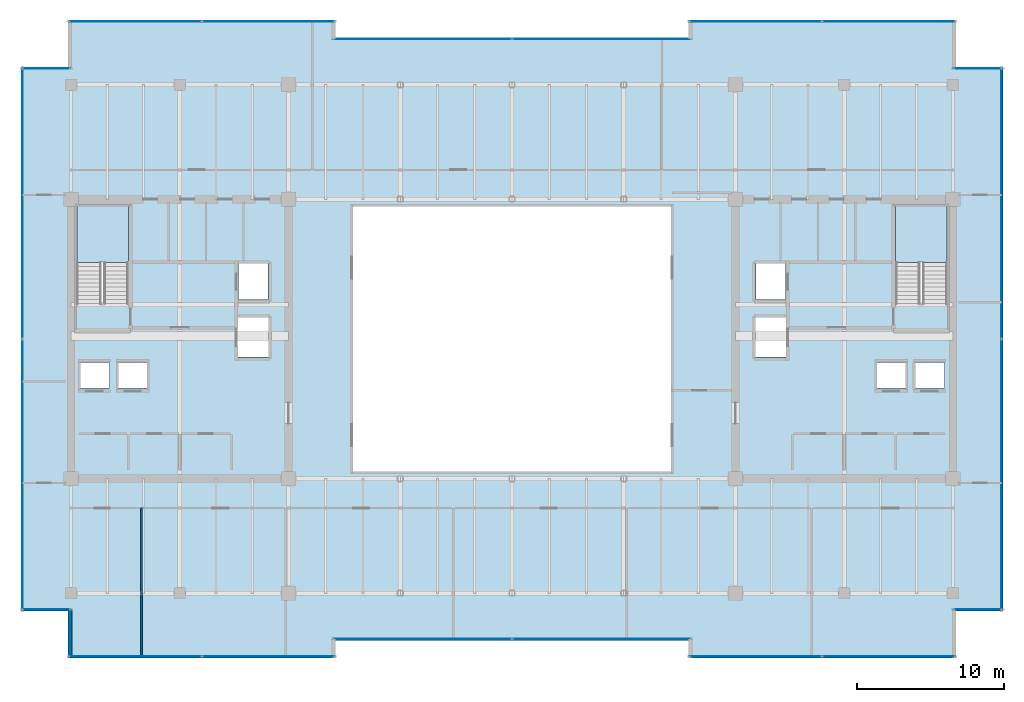
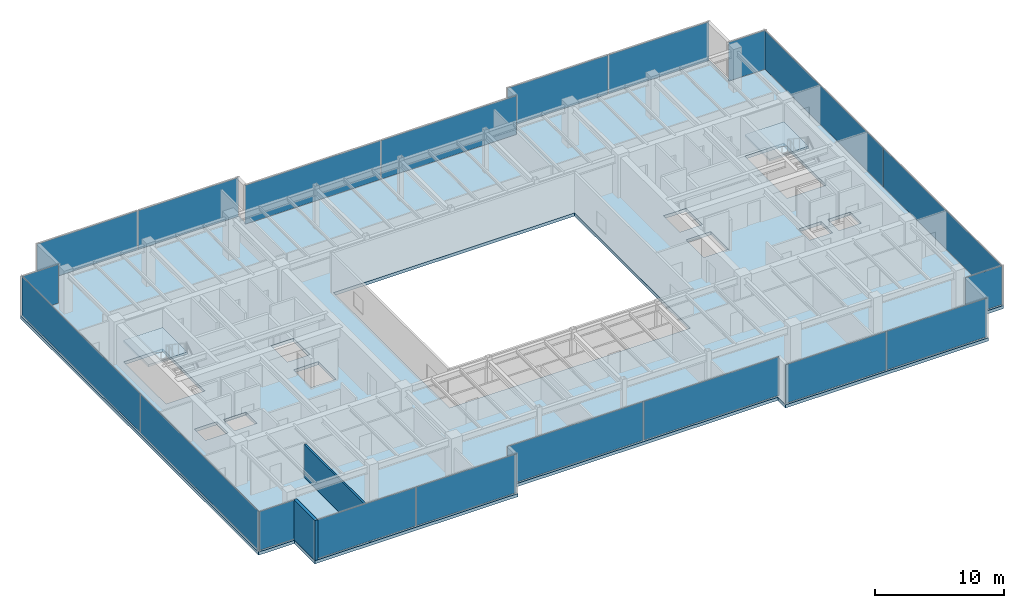
# One storey, part 27 of 33: 20 plates, 3 slabs, 2 walls, 14 elements without a shape of their own.
"""IFC4 building model written with IfcOpenShell, lengths in metres."""

from ifc_helpers import new_model, si_unit, direction, frame, frame_2d, origin, origin_2d, place, context, subcontext, project, spatial, polyline, rectangle, outline, extrude, source, transform, mapped, material, layer, layer_set, type_object, type_shapes, element, aggregate, save


model = new_model("IFC4")

# Units and contexts
model_context = context("Model", 3, precision=1e-05, world=origin(), true_north=direction((0.0, 1.0)))
body_context = subcontext(model_context, "Body", "Model", "MODEL_VIEW")
ifc_project = project(units=[si_unit("LENGTHUNIT", "METRE"), si_unit("AREAUNIT", "SQUARE_METRE"), si_unit("VOLUMEUNIT", "CUBIC_METRE"), si_unit("PLANEANGLEUNIT", "RADIAN"), si_unit("MASSUNIT", "GRAM", prefix="KILO")], contexts=[model_context])

# Site, building, storey
site_placement = place(None, origin())
site = spatial("IfcSite", under=ifc_project, at=site_placement, CompositionType="ELEMENT")
building_placement = place(site_placement, origin())
building = spatial("IfcBuilding", under=site, at=building_placement, Name="Haelvirn Gate Laboratories", CompositionType="ELEMENT")
storey_placement = place(building_placement, frame((0.0, 0.0, 209.60009765625)))
storey = spatial("IfcBuildingStorey", under=building, at=storey_placement, Name="L50", CompositionType="ELEMENT", Elevation=209.60009765625)

# Stair, slab
ifc_material_1 = material(Name="Concrete C40/50", Category="concrete")
stair_type = type_object("IfcStairType", Name="ST-DOG-1650-R22", PredefinedType="HALF_TURN_STAIR", material=ifc_material_1)
stair_1_placement = place(storey_placement, origin())
stair_1 = element("IfcStair", 1, at=stair_1_placement, inside=storey, type_object=stair_type, Name="L50 Escape Stair ST1", PredefinedType="HALF_TURN_STAIR")
ifc_layer_1 = layer(ifc_material_1, 0.199951171875, Name="SL-STAIR-LND")
ifc_layer_set_1 = layer_set([ifc_layer_1], Name="Concrete C40/50")
slab_type_1 = type_object("IfcSlabType", Name="SL-STAIR-LND", PredefinedType="LANDING", material=ifc_layer_set_1)
slab_1_placement = place(storey_placement, frame((0.0, 0.0, 1.849853515625)))
slab_1 = element("IfcSlab", 2, at=slab_1_placement, type_object=slab_type_1, Name="ST1 landing 1", PredefinedType="LANDING", context=body_context, shape_type="SweptSolid", body=[
    extrude(outline(polyline([(11.300048828125, 29.5), (11.300048828125, 33.35009765625), (7.800048828125, 33.35009765625), (7.800048828125, 29.5), (11.300048828125, 29.5)])), origin(), (0.0, 0.0, 1.0), 0.199951171875),
])
aggregate(stair_1, [slab_1])

stair_2_placement = place(storey_placement, origin())
stair_2 = element("IfcStair", 3, at=stair_2_placement, inside=storey, type_object=stair_type, Name="L50 Escape Stair ST2", PredefinedType="HALF_TURN_STAIR")
slab_2_placement = place(storey_placement, frame((0.0, 0.0, 1.849853515625)))
slab_2 = element("IfcSlab", 4, at=slab_2_placement, type_object=slab_type_1, Name="ST2 landing 1", PredefinedType="LANDING", context=body_context, shape_type="SweptSolid", body=[
    extrude(outline(polyline([(67.0, 29.5), (67.0, 33.35009765625), (63.5, 33.35009765625), (63.5, 29.5), (67.0, 29.5)])), origin(), (0.0, 0.0, 1.0), 0.199951171875),
])
aggregate(stair_2, [slab_2])

# Slab
ifc_layer_2 = layer(ifc_material_1, 0.300048828125, Name="SL-Z3-300")
ifc_layer_set_2 = layer_set([ifc_layer_2], Name="Concrete C40/50")
slab_type_2 = type_object("IfcSlabType", Name="SL-Z3-300", PredefinedType="FLOOR", material=ifc_layer_set_2)
slab_3_placement = place(storey_placement, frame((0.0, 0.0, -0.300048828125)))
element("IfcSlab", 5, at=slab_3_placement, inside=storey, type_object=slab_type_2, Name="L50 Structural Slab MAIN", PredefinedType="FLOOR", context=body_context, shape_type="SweptSolid", body=[
    extrude(outline(polyline([(7.199951171875, 2.60009765625), (25.39990234375, 2.60009765625), (25.39990234375, 3.800048828125), (49.39990234375, 3.800048828125), (49.39990234375, 2.60009765625), (67.60009765625, 2.60009765625), (67.60009765625, 5.800048828125), (70.800048828125, 5.800048828125), (70.800048828125, 42.800048828125), (67.60009765625, 42.800048828125), (67.60009765625, 46.0), (49.39990234375, 46.0), (49.39990234375, 44.800048828125), (25.39990234375, 44.800048828125), (25.39990234375, 46.0), (7.199951171875, 46.0), (7.199951171875, 42.800048828125), (4.0, 42.800048828125), (4.0, 5.800048828125), (7.199951171875, 5.800048828125), (7.199951171875, 2.60009765625)]), holes=[polyline([(26.60009765625, 15.300048828125), (48.199951171875, 15.300048828125), (48.199951171875, 33.300048828125), (26.60009765625, 33.300048828125), (26.60009765625, 15.300048828125)]), polyline([(11.300048828125, 26.780029296875), (11.300048828125, 33.35009765625), (7.800048828125, 33.35009765625), (7.800048828125, 26.780029296875), (11.300048828125, 26.780029296875)]), polyline([(67.0, 26.780029296875), (67.0, 33.35009765625), (63.5, 33.35009765625), (63.5, 26.780029296875), (67.0, 26.780029296875)]), polyline([(7.989990234375, 20.969970703125), (10.010009765625, 20.969970703125), (10.010009765625, 22.7099609375), (7.989990234375, 22.7099609375), (7.989990234375, 20.969970703125)]), polyline([(10.590087890625, 20.969970703125), (12.610107421875, 20.969970703125), (12.610107421875, 22.7099609375), (10.590087890625, 22.7099609375), (10.590087890625, 20.969970703125)]), polyline([(18.7900390625, 26.969970703125), (20.81005859375, 26.969970703125), (20.81005859375, 29.510009765625), (18.7900390625, 29.510009765625), (18.7900390625, 26.969970703125)]), polyline([(18.68994140625, 23.070068359375), (20.909912109375, 23.070068359375), (20.909912109375, 25.81005859375), (18.68994140625, 25.81005859375), (18.68994140625, 23.070068359375)]), polyline([(64.7900390625, 20.969970703125), (66.81005859375, 20.969970703125), (66.81005859375, 22.7099609375), (64.7900390625, 22.7099609375), (64.7900390625, 20.969970703125)]), polyline([(62.18994140625, 20.969970703125), (64.2099609375, 20.969970703125), (64.2099609375, 22.7099609375), (62.18994140625, 22.7099609375), (62.18994140625, 20.969970703125)]), polyline([(53.989990234375, 26.969970703125), (56.010009765625, 26.969970703125), (56.010009765625, 29.510009765625), (53.989990234375, 29.510009765625), (53.989990234375, 26.969970703125)]), polyline([(53.889892578125, 23.070068359375), (56.110107421875, 23.070068359375), (56.110107421875, 25.81005859375), (53.889892578125, 25.81005859375), (53.889892578125, 23.070068359375)])]), origin(), (0.0, 0.0, 1.0), 0.300048828125),
])

# Curtain wall, plates
ifc_material_2 = material(Name="Anodised bronze unitised aluminium & triple low-E glass", Category="aluminium")
ifc_layer_3 = layer(ifc_material_2, 0.176025390625, Name="CW-SYS-4")
ifc_layer_set_3 = layer_set([ifc_layer_3], Name="Anodised bronze unitised aluminium & triple low-E glass")
curtain_wall_type_1 = type_object("IfcCurtainWallType", Name="CW-SYS-4", PredefinedType="NOTDEFINED", material=ifc_layer_set_3)
curtain_wall_1_placement = place(storey_placement, origin())
curtain_wall_1 = element("IfcCurtainWall", 6, at=curtain_wall_1_placement, inside=storey, type_object=curtain_wall_type_1, Name="L50 Unitised Curtain Wall CW-L50-P0-E00-1", PredefinedType="NOTDEFINED")
ifc_material_3 = material(Name="Acoustic laminated bronze triple IGU 36 mm", Category="glass")
ifc_layer_4 = layer(ifc_material_3, 0.035888671875, Name="CWP-IGU-36")
ifc_layer_set_4 = layer_set([ifc_layer_4], Name="Acoustic laminated bronze triple IGU 36 mm")
plate_type_1 = type_object("IfcPlateType", Name="CWP-IGU-36", PredefinedType="CURTAIN_PANEL", material=ifc_layer_set_4)
shared_shape_1 = source(origin(), body_context, "Body", "SweptSolid", [
    extrude(rectangle(XDim=8.9951171875, YDim=0.035888671875, at=origin_2d()), origin(), (0.0, 0.0, 1.0), 3.669921875),
])
plate_1_placement = place(storey_placement, frame((11.767578125, 2.699951171875, 0.06494140625), z_axis=(0.0, 0.0, 1.0), x_axis=(1.0, 0.0, 0.0)))
plate_1 = element("IfcPlate", 7, at=plate_1_placement, type_object=plate_type_1, Name="CW4 panel 1.1", PredefinedType="CURTAIN_PANEL", context=body_context, shape_type="MappedRepresentation", body=[
    mapped(shared_shape_1, transform((0.0, 0.0, 0.0), scale=1.0)),
])
plate_2_placement = place(storey_placement, frame((20.83251953125, 2.699951171875, 0.06494140625), z_axis=(0.0, 0.0, 1.0), x_axis=(1.0, 0.0, 0.0)))
plate_2 = element("IfcPlate", 8, at=plate_2_placement, type_object=plate_type_1, Name="CW4 panel 2.1", PredefinedType="CURTAIN_PANEL", context=body_context, shape_type="MappedRepresentation", body=[
    mapped(shared_shape_1, transform((0.0, 0.0, 0.0), scale=1.0)),
])
aggregate(curtain_wall_1, [plate_1, plate_2])

curtain_wall_2_placement = place(storey_placement, origin())
curtain_wall_2 = element("IfcCurtainWall", 9, at=curtain_wall_2_placement, inside=storey, type_object=curtain_wall_type_1, Name="L50 Unitised Curtain Wall CW-L50-P0-E04-1", PredefinedType="NOTDEFINED")
plate_3_placement = place(storey_placement, frame((53.967529296875, 2.699951171875, 0.06494140625), z_axis=(0.0, 0.0, 1.0), x_axis=(1.0, 0.0, 0.0)))
plate_3 = element("IfcPlate", 10, at=plate_3_placement, type_object=plate_type_1, Name="CW4 panel 1.1", PredefinedType="CURTAIN_PANEL", context=body_context, shape_type="MappedRepresentation", body=[
    mapped(shared_shape_1, transform((0.0, 0.0, 0.0), scale=1.0)),
])
plate_4_placement = place(storey_placement, frame((63.032470703125, 2.699951171875, 0.06494140625), z_axis=(0.0, 0.0, 1.0), x_axis=(1.0, 0.0, 0.0)))
plate_4 = element("IfcPlate", 11, at=plate_4_placement, type_object=plate_type_1, Name="CW4 panel 2.1", PredefinedType="CURTAIN_PANEL", context=body_context, shape_type="MappedRepresentation", body=[
    mapped(shared_shape_1, transform((0.0, 0.0, 0.0), scale=1.0)),
])
aggregate(curtain_wall_2, [plate_3, plate_4])

curtain_wall_3_placement = place(storey_placement, origin())
curtain_wall_3 = element("IfcCurtainWall", 12, at=curtain_wall_3_placement, inside=storey, type_object=curtain_wall_type_1, Name="L50 Unitised Curtain Wall CW-L50-P0-E10-1", PredefinedType="NOTDEFINED")
plate_5_placement = place(storey_placement, frame((53.967529296875, 45.89990234375, 0.06494140625), z_axis=(0.0, 0.0, 1.0), x_axis=(1.0, 0.0, 0.0)))
plate_5 = element("IfcPlate", 13, at=plate_5_placement, type_object=plate_type_1, Name="CW4 panel 1.1", PredefinedType="CURTAIN_PANEL", context=body_context, shape_type="MappedRepresentation", body=[
    mapped(shared_shape_1, transform((0.0, 0.0, 0.0), scale=1.0)),
])
plate_6_placement = place(storey_placement, frame((63.032470703125, 45.89990234375, 0.06494140625), z_axis=(0.0, 0.0, 1.0), x_axis=(1.0, 0.0, 0.0)))
plate_6 = element("IfcPlate", 14, at=plate_6_placement, type_object=plate_type_1, Name="CW4 panel 2.1", PredefinedType="CURTAIN_PANEL", context=body_context, shape_type="MappedRepresentation", body=[
    mapped(shared_shape_1, transform((0.0, 0.0, 0.0), scale=1.0)),
])
aggregate(curtain_wall_3, [plate_5, plate_6])

curtain_wall_4_placement = place(storey_placement, origin())
curtain_wall_4 = element("IfcCurtainWall", 15, at=curtain_wall_4_placement, inside=storey, type_object=curtain_wall_type_1, Name="L50 Unitised Curtain Wall CW-L50-P0-E14-1", PredefinedType="NOTDEFINED")
plate_7_placement = place(storey_placement, frame((11.767578125, 45.89990234375, 0.06494140625), z_axis=(0.0, 0.0, 1.0), x_axis=(1.0, 0.0, 0.0)))
plate_7 = element("IfcPlate", 16, at=plate_7_placement, type_object=plate_type_1, Name="CW4 panel 1.1", PredefinedType="CURTAIN_PANEL", context=body_context, shape_type="MappedRepresentation", body=[
    mapped(shared_shape_1, transform((0.0, 0.0, 0.0), scale=1.0)),
])
plate_8_placement = place(storey_placement, frame((20.83251953125, 45.89990234375, 0.06494140625), z_axis=(0.0, 0.0, 1.0), x_axis=(1.0, 0.0, 0.0)))
plate_8 = element("IfcPlate", 17, at=plate_8_placement, type_object=plate_type_1, Name="CW4 panel 2.1", PredefinedType="CURTAIN_PANEL", context=body_context, shape_type="MappedRepresentation", body=[
    mapped(shared_shape_1, transform((0.0, 0.0, 0.0), scale=1.0)),
])
aggregate(curtain_wall_4, [plate_7, plate_8])

curtain_wall_5_placement = place(storey_placement, origin())
curtain_wall_5 = element("IfcCurtainWall", 18, at=curtain_wall_5_placement, inside=storey, type_object=curtain_wall_type_1, Name="L50 Unitised Curtain Wall CW-L50-P0-E02-1", PredefinedType="NOTDEFINED")
shared_shape_2 = source(origin(), body_context, "Body", "SweptSolid", [
    extrude(rectangle(XDim=12.135009765625, YDim=0.035888671875, at=origin_2d()), origin(), (0.0, 0.0, 1.0), 3.669921875),
])
plate_9_placement = place(storey_placement, frame((31.297607421875, 3.89990234375, 0.06494140625), z_axis=(0.0, 0.0, 1.0), x_axis=(1.0, 0.0, 0.0)))
plate_9 = element("IfcPlate", 19, at=plate_9_placement, type_object=plate_type_1, Name="CW4 panel 1.1", PredefinedType="CURTAIN_PANEL", context=body_context, shape_type="MappedRepresentation", body=[
    mapped(shared_shape_2, transform((0.0, 0.0, 0.0), scale=1.0)),
])
plate_10_placement = place(storey_placement, frame((43.50244140625, 3.89990234375, 0.06494140625), z_axis=(0.0, 0.0, 1.0), x_axis=(1.0, 0.0, 0.0)))
plate_10 = element("IfcPlate", 20, at=plate_10_placement, type_object=plate_type_1, Name="CW4 panel 2.1", PredefinedType="CURTAIN_PANEL", context=body_context, shape_type="MappedRepresentation", body=[
    mapped(shared_shape_2, transform((0.0, 0.0, 0.0), scale=1.0)),
])
aggregate(curtain_wall_5, [plate_9, plate_10])

curtain_wall_6_placement = place(storey_placement, origin())
curtain_wall_6 = element("IfcCurtainWall", 21, at=curtain_wall_6_placement, inside=storey, type_object=curtain_wall_type_1, Name="L50 Unitised Curtain Wall CW-L50-P0-E12-1", PredefinedType="NOTDEFINED")
plate_11_placement = place(storey_placement, frame((31.297607421875, 44.699951171875, 0.06494140625), z_axis=(0.0, 0.0, 1.0), x_axis=(1.0, 0.0, 0.0)))
plate_11 = element("IfcPlate", 22, at=plate_11_placement, type_object=plate_type_1, Name="CW4 panel 1.1", PredefinedType="CURTAIN_PANEL", context=body_context, shape_type="MappedRepresentation", body=[
    mapped(shared_shape_2, transform((0.0, 0.0, 0.0), scale=1.0)),
])
plate_12_placement = place(storey_placement, frame((43.50244140625, 44.699951171875, 0.06494140625), z_axis=(0.0, 0.0, 1.0), x_axis=(1.0, 0.0, 0.0)))
plate_12 = element("IfcPlate", 23, at=plate_12_placement, type_object=plate_type_1, Name="CW4 panel 2.1", PredefinedType="CURTAIN_PANEL", context=body_context, shape_type="MappedRepresentation", body=[
    mapped(shared_shape_2, transform((0.0, 0.0, 0.0), scale=1.0)),
])
aggregate(curtain_wall_6, [plate_11, plate_12])

# Curtain wall, plate
ifc_layer_5 = layer(ifc_material_2, 0.181884765625, Name="CW-SYS-5")
ifc_layer_set_5 = layer_set([ifc_layer_5], Name="Anodised bronze unitised aluminium & triple low-E glass")
curtain_wall_type_2 = type_object("IfcCurtainWallType", Name="CW-SYS-5", PredefinedType="NOTDEFINED", material=ifc_layer_set_5)
curtain_wall_7_placement = place(storey_placement, origin())
curtain_wall_7 = element("IfcCurtainWall", 24, at=curtain_wall_7_placement, inside=storey, type_object=curtain_wall_type_2, Name="L50 Unitised Curtain Wall CW-L50-P0-E06-1", PredefinedType="NOTDEFINED")
ifc_material_4 = material(Name="Clear low-iron notched-corner triple IGU 42 mm", Category="glass")
ifc_layer_6 = layer(ifc_material_4, 0.0419921875, Name="CWP-NTC-42")
ifc_layer_set_6 = layer_set([ifc_layer_6], Name="Clear low-iron notched-corner triple IGU 42 mm")
plate_type_2 = type_object("IfcPlateType", Name="CWP-NTC-42", PredefinedType="CURTAIN_PANEL", material=ifc_layer_set_6)
shared_shape_3 = source(origin(), body_context, "Body", "SweptSolid", [
    extrude(rectangle(XDim=3.280029296875, YDim=0.0419921875, at=origin_2d()), origin(), (0.0, 0.0, 1.0), 3.669921875),
])
type_shapes(plate_type_2, [shared_shape_3])
plate_13_placement = place(storey_placement, frame((69.080078125, 5.89990234375, 0.06494140625), z_axis=(0.0, 0.0, 1.0), x_axis=(1.0, 0.0, 0.0)))
plate_13 = element("IfcPlate", 25, at=plate_13_placement, type_object=plate_type_2, Name="CW5 panel 1.1", PredefinedType="CURTAIN_PANEL", context=body_context, shape_type="MappedRepresentation", body=[
    mapped(shared_shape_3, transform((0.0, 0.0, 0.0), scale=1.0)),
])
aggregate(curtain_wall_7, [plate_13])

curtain_wall_8_placement = place(storey_placement, origin())
curtain_wall_8 = element("IfcCurtainWall", 26, at=curtain_wall_8_placement, inside=storey, type_object=curtain_wall_type_2, Name="L50 Unitised Curtain Wall CW-L50-P0-E08-1", PredefinedType="NOTDEFINED")
plate_14_placement = place(storey_placement, frame((69.080078125, 42.699951171875, 0.06494140625), z_axis=(0.0, 0.0, 1.0), x_axis=(1.0, 0.0, 0.0)))
plate_14 = element("IfcPlate", 27, at=plate_14_placement, type_object=plate_type_2, Name="CW5 panel 1.1", PredefinedType="CURTAIN_PANEL", context=body_context, shape_type="MappedRepresentation", body=[
    mapped(shared_shape_3, transform((0.0, 0.0, 0.0), scale=1.0)),
])
aggregate(curtain_wall_8, [plate_14])

curtain_wall_9_placement = place(storey_placement, origin())
curtain_wall_9 = element("IfcCurtainWall", 28, at=curtain_wall_9_placement, inside=storey, type_object=curtain_wall_type_2, Name="L50 Unitised Curtain Wall CW-L50-P0-E16-1", PredefinedType="NOTDEFINED")
plate_15_placement = place(storey_placement, frame((5.719970703125, 42.699951171875, 0.06494140625), z_axis=(0.0, 0.0, 1.0), x_axis=(1.0, 0.0, 0.0)))
plate_15 = element("IfcPlate", 29, at=plate_15_placement, type_object=plate_type_2, Name="CW5 panel 1.1", PredefinedType="CURTAIN_PANEL", context=body_context, shape_type="MappedRepresentation", body=[
    mapped(shared_shape_3, transform((0.0, 0.0, 0.0), scale=1.0)),
])
aggregate(curtain_wall_9, [plate_15])

curtain_wall_10_placement = place(storey_placement, origin())
curtain_wall_10 = element("IfcCurtainWall", 30, at=curtain_wall_10_placement, inside=storey, type_object=curtain_wall_type_2, Name="L50 Unitised Curtain Wall CW-L50-P0-E18-1", PredefinedType="NOTDEFINED")
plate_16_placement = place(storey_placement, frame((5.719970703125, 5.89990234375, 0.06494140625), z_axis=(0.0, 0.0, 1.0), x_axis=(1.0, 0.0, 0.0)))
plate_16 = element("IfcPlate", 31, at=plate_16_placement, type_object=plate_type_2, Name="CW5 panel 1.1", PredefinedType="CURTAIN_PANEL", context=body_context, shape_type="MappedRepresentation", body=[
    mapped(shared_shape_3, transform((0.0, 0.0, 0.0), scale=1.0)),
])
aggregate(curtain_wall_10, [plate_16])

# Curtain wall, plates
curtain_wall_11_placement = place(storey_placement, origin())
curtain_wall_11 = element("IfcCurtainWall", 32, at=curtain_wall_11_placement, inside=storey, type_object=curtain_wall_type_1, Name="L50 Unitised Curtain Wall CW-L50-P0-E07", PredefinedType="NOTDEFINED")
shared_shape_4 = source(origin(), body_context, "Body", "SweptSolid", [
    extrude(rectangle(XDim=18.39501953125, YDim=0.035888671875, at=origin_2d()), origin(), (0.0, 0.0, 1.0), 3.669921875),
])
type_shapes(plate_type_1, [shared_shape_1, shared_shape_2, shared_shape_4])
plate_17_placement = place(storey_placement, frame((70.699951171875, 15.0673828125, 0.06494140625), z_axis=(0.0, 0.0, 1.0), x_axis=(0.0, 1.0, 0.0)))
plate_17 = element("IfcPlate", 33, at=plate_17_placement, type_object=plate_type_1, Name="CW4 panel 1.1", PredefinedType="CURTAIN_PANEL", context=body_context, shape_type="MappedRepresentation", body=[
    mapped(shared_shape_4, transform((0.0, 0.0, 0.0), scale=1.0)),
])
plate_18_placement = place(storey_placement, frame((70.699951171875, 33.532470703125, 0.06494140625), z_axis=(0.0, 0.0, 1.0), x_axis=(0.0, 1.0, 0.0)))
plate_18 = element("IfcPlate", 34, at=plate_18_placement, type_object=plate_type_1, Name="CW4 panel 2.1", PredefinedType="CURTAIN_PANEL", context=body_context, shape_type="MappedRepresentation", body=[
    mapped(shared_shape_4, transform((0.0, 0.0, 0.0), scale=1.0)),
])
aggregate(curtain_wall_11, [plate_17, plate_18])

curtain_wall_12_placement = place(storey_placement, origin())
curtain_wall_12 = element("IfcCurtainWall", 35, at=curtain_wall_12_placement, inside=storey, type_object=curtain_wall_type_1, Name="L50 Unitised Curtain Wall CW-L50-P0-E17", PredefinedType="NOTDEFINED")
plate_19_placement = place(storey_placement, frame((4.10009765625, 33.532470703125, 0.06494140625), z_axis=(0.0, 0.0, 1.0), x_axis=(0.0, -1.0, 0.0)))
plate_19 = element("IfcPlate", 36, at=plate_19_placement, type_object=plate_type_1, Name="CW4 panel 1.1", PredefinedType="CURTAIN_PANEL", context=body_context, shape_type="MappedRepresentation", body=[
    mapped(shared_shape_4, transform((0.0, 0.0, 0.0), scale=1.0)),
])
plate_20_placement = place(storey_placement, frame((4.10009765625, 15.0673828125, 0.06494140625), z_axis=(0.0, 0.0, 1.0), x_axis=(0.0, -1.0, 0.0)))
plate_20 = element("IfcPlate", 37, at=plate_20_placement, type_object=plate_type_1, Name="CW4 panel 2.1", PredefinedType="CURTAIN_PANEL", context=body_context, shape_type="MappedRepresentation", body=[
    mapped(shared_shape_4, transform((0.0, 0.0, 0.0), scale=1.0)),
])
aggregate(curtain_wall_12, [plate_19, plate_20])

# Walls
ifc_material_5 = material(Name="Thermally-broken bronze aluminium rainscreen & mineral wool", Category="aluminium")
ifc_layer_7 = layer(ifc_material_5, 0.280029296875, Name="EW-TERR-280")
ifc_layer_set_7 = layer_set([ifc_layer_7], Name="Thermally-broken bronze aluminium rainscreen & mineral wool")
wall_type_1 = type_object("IfcWallType", Name="EW-TERR-280", PredefinedType="STANDARD", material=ifc_layer_set_7)
wall_1_placement = place(storey_placement, frame((7.340087890625, 5.887939453125, 0.0), z_axis=(0.0, 0.0, 1.0), x_axis=(0.0, -1.0, 0.0)))
element("IfcWall", 38, at=wall_1_placement, inside=storey, type_object=wall_type_1, Name="L50 Atrium Recess Bronze Return Wall 19", PredefinedType="STANDARD", context=body_context, shape_type="SweptSolid", body=[
    extrude(rectangle(XDim=3.287841796875, YDim=0.280029296875, at=frame_2d((1.64404296875, 0.0))), origin(), (0.0, 0.0, 1.0), 3.7998046875),
])
ifc_material_6 = material(Name="Double-layer acoustic gypsum laboratory partition", Category="gypsum")
ifc_layer_8 = layer(ifc_material_6, 0.159912109375, Name="IW-ACOUST-160")
ifc_layer_set_8 = layer_set([ifc_layer_8], Name="Double-layer acoustic gypsum laboratory partition")
wall_type_2 = type_object("IfcWallType", Name="IW-ACOUST-160", PredefinedType="PARTITIONING", material=ifc_layer_set_8)
wall_2_placement = place(storey_placement, frame((12.199951171875, 2.7099609375, 0.0), z_axis=(0.0, 0.0, 1.0), x_axis=(0.0, 1.0, 0.0)))
element("IfcWall", 39, at=wall_2_placement, inside=storey, type_object=wall_type_2, Name="L50 Interior Wall IW-L50-SDIV-01", PredefinedType="PARTITIONING", context=body_context, shape_type="SweptSolid", body=[
    extrude(rectangle(XDim=10.080078125, YDim=0.159912109375, at=frame_2d((5.0400390625, 0.0))), origin(), (0.0, 0.0, 1.0), 3.135009765625),
])

save(model, "model.ifc")
